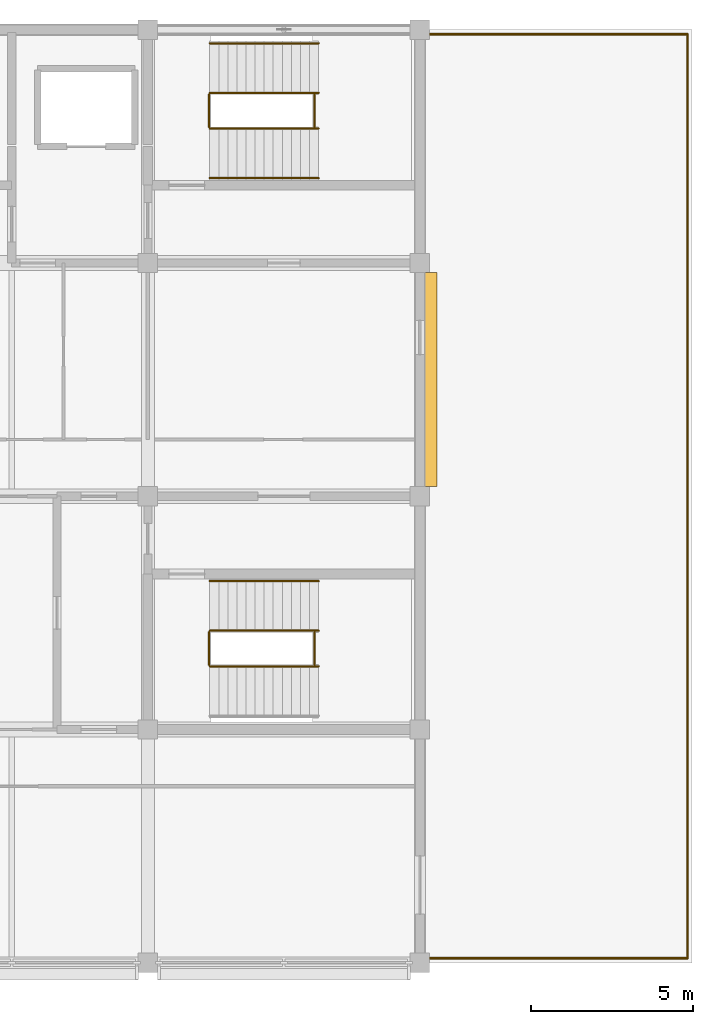
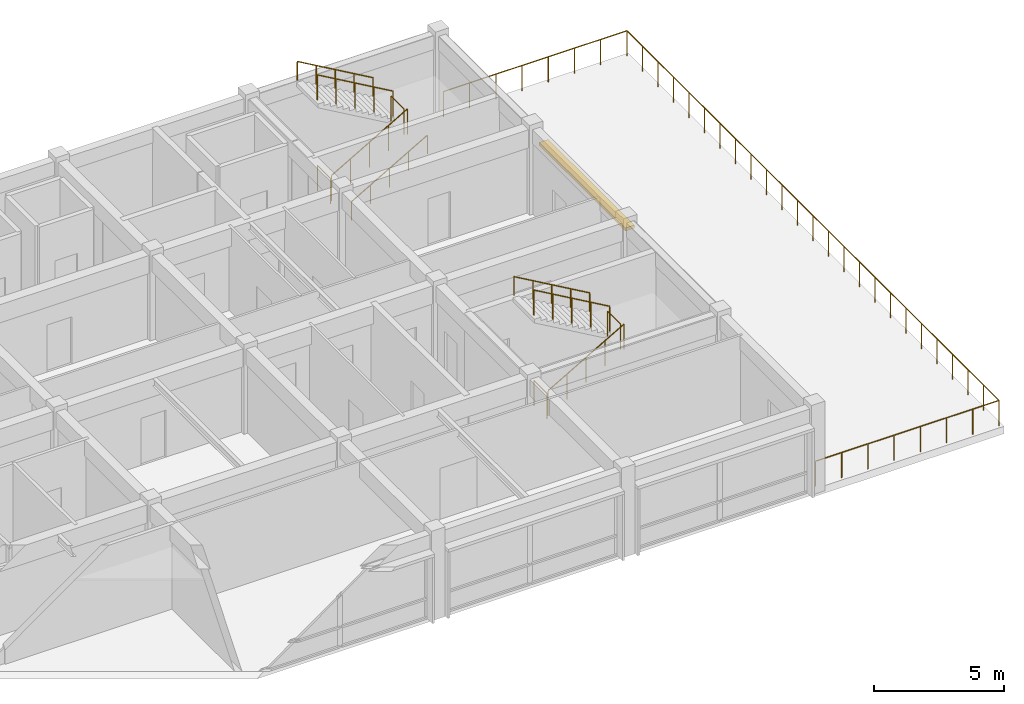
# One storey, part 13 of 13: 14 railings, 1 shading device.
"""IFC4 building model written with IfcOpenShell, lengths in metres."""

from ifc_helpers import new_model, si_unit, direction, frame, origin, origin_2d, place, context, subcontext, project, spatial, rectangle, circle, extrude, material, type_object, element, save


model = new_model("IFC4")

# Units and contexts
model_context = context("Model", 3, precision=1e-05, world=origin(), true_north=direction((0.0, 1.0)))
body_context = subcontext(model_context, "Body", "Model", "MODEL_VIEW")
ifc_project = project(units=[si_unit("LENGTHUNIT", "METRE"), si_unit("AREAUNIT", "SQUARE_METRE"), si_unit("VOLUMEUNIT", "CUBIC_METRE"), si_unit("PLANEANGLEUNIT", "RADIAN"), si_unit("MASSUNIT", "GRAM", prefix="KILO")], contexts=[model_context])

# Site, building, storey
site_placement = place(None, origin())
site = spatial("IfcSite", under=ifc_project, at=site_placement, CompositionType="ELEMENT")
building_placement = place(site_placement, origin())
building = spatial("IfcBuilding", under=site, at=building_placement, Name="Chengyuan Square Courthouse", CompositionType="ELEMENT")
storey_placement = place(building_placement, frame((0.0, 0.0, 60.300048828125)))
storey = spatial("IfcBuildingStorey", under=building, at=storey_placement, Name="L14", CompositionType="ELEMENT", Elevation=60.300048828125)

# Railings
ifc_material_1 = material(Name="Stainless Steel S30408 and Laminated Glass Balustrade", Category="steel")
railing_type_1 = type_object("IfcRailingType", Name="RL-01", PredefinedType="BALUSTRADE", material=ifc_material_1)
railing_1_placement = place(storey_placement, frame((109.340087890625, 107.860107421875, 0.0)))
element("IfcRailing", 1, at=railing_1_placement, inside=storey, type_object=railing_type_1, Name="Terrace Safety Balustrade RL-TER-022", PredefinedType="BALUSTRADE", context=body_context, shape_type="SweptSolid", body=[
    extrude(circle(Radius=0.02392578125, at=origin_2d()), frame((0.0, 0.0, 1.17578125), z_axis=(1.0, 0.0, 0.0), x_axis=(0.0, 1.0, 0.0)), (0.0, 0.0, 1.0), 8.119873046875),
    extrude(circle(Radius=0.02099609375, at=origin_2d()), origin(), (0.0, 0.0, 1.0), 1.15185546875),
    extrude(circle(Radius=0.02099609375, at=origin_2d()), frame((1.159912109375, 0.0, 0.0)), (0.0, 0.0, 1.0), 1.15185546875),
    extrude(circle(Radius=0.02099609375, at=origin_2d()), frame((2.320068359375, 0.0, 0.0)), (0.0, 0.0, 1.0), 1.15185546875),
    extrude(circle(Radius=0.02099609375, at=origin_2d()), frame((3.47998046875, 0.0, 0.0)), (0.0, 0.0, 1.0), 1.15185546875),
    extrude(circle(Radius=0.02099609375, at=origin_2d()), frame((4.639892578125, 0.0, 0.0)), (0.0, 0.0, 1.0), 1.15185546875),
    extrude(circle(Radius=0.02099609375, at=origin_2d()), frame((5.7998046875, 0.0, 0.0)), (0.0, 0.0, 1.0), 1.15185546875),
    extrude(circle(Radius=0.02099609375, at=origin_2d()), frame((6.9599609375, 0.0, 0.0)), (0.0, 0.0, 1.0), 1.15185546875),
    extrude(circle(Radius=0.02099609375, at=origin_2d()), frame((8.119873046875, 0.0, 0.0)), (0.0, 0.0, 1.0), 1.15185546875),
])
railing_2_placement = place(storey_placement, frame((117.4599609375, 107.860107421875, 0.0)))
element("IfcRailing", 2, at=railing_2_placement, inside=storey, type_object=railing_type_1, Name="Terrace Safety Balustrade RL-TER-023", PredefinedType="BALUSTRADE", context=body_context, shape_type="SweptSolid", body=[
    extrude(circle(Radius=0.02392578125, at=origin_2d()), frame((0.0, 0.0, 1.17578125), z_axis=(0.0, -1.0, 0.0), x_axis=(1.0, 0.0, 0.0)), (0.0, 0.0, 1.0), 28.52001953125),
    extrude(circle(Radius=0.02099609375, at=origin_2d()), origin(), (0.0, 0.0, 1.0), 1.15185546875),
    extrude(circle(Radius=0.02099609375, at=origin_2d()), frame((0.0, -1.188232421875, 0.0)), (0.0, 0.0, 1.0), 1.15185546875),
    extrude(circle(Radius=0.02099609375, at=origin_2d()), frame((0.0, -2.376708984375, 0.0)), (0.0, 0.0, 1.0), 1.15185546875),
    extrude(circle(Radius=0.02099609375, at=origin_2d()), frame((0.0, -3.56494140625, 0.0)), (0.0, 0.0, 1.0), 1.15185546875),
    extrude(circle(Radius=0.02099609375, at=origin_2d()), frame((0.0, -4.75341796875, 0.0)), (0.0, 0.0, 1.0), 1.15185546875),
    extrude(circle(Radius=0.02099609375, at=origin_2d()), frame((0.0, -5.941650390625, 0.0)), (0.0, 0.0, 1.0), 1.15185546875),
    extrude(circle(Radius=0.02099609375, at=origin_2d()), frame((0.0, -7.1298828125, 0.0)), (0.0, 0.0, 1.0), 1.15185546875),
    extrude(circle(Radius=0.02099609375, at=origin_2d()), frame((0.0, -8.318359375, 0.0)), (0.0, 0.0, 1.0), 1.15185546875),
    extrude(circle(Radius=0.02099609375, at=origin_2d()), frame((0.0, -9.506591796875, 0.0)), (0.0, 0.0, 1.0), 1.15185546875),
    extrude(circle(Radius=0.02099609375, at=origin_2d()), frame((0.0, -10.695068359375, 0.0)), (0.0, 0.0, 1.0), 1.15185546875),
    extrude(circle(Radius=0.02099609375, at=origin_2d()), frame((0.0, -11.88330078125, 0.0)), (0.0, 0.0, 1.0), 1.15185546875),
    extrude(circle(Radius=0.02099609375, at=origin_2d()), frame((0.0, -13.07177734375, 0.0)), (0.0, 0.0, 1.0), 1.15185546875),
    extrude(circle(Radius=0.02099609375, at=origin_2d()), frame((0.0, -14.260009765625, 0.0)), (0.0, 0.0, 1.0), 1.15185546875),
    extrude(circle(Radius=0.02099609375, at=origin_2d()), frame((0.0, -15.4482421875, 0.0)), (0.0, 0.0, 1.0), 1.15185546875),
    extrude(circle(Radius=0.02099609375, at=origin_2d()), frame((0.0, -16.63671875, 0.0)), (0.0, 0.0, 1.0), 1.15185546875),
    extrude(circle(Radius=0.02099609375, at=origin_2d()), frame((0.0, -17.824951171875, 0.0)), (0.0, 0.0, 1.0), 1.15185546875),
    extrude(circle(Radius=0.02099609375, at=origin_2d()), frame((0.0, -19.013427734375, 0.0)), (0.0, 0.0, 1.0), 1.15185546875),
    extrude(circle(Radius=0.02099609375, at=origin_2d()), frame((0.0, -20.20166015625, 0.0)), (0.0, 0.0, 1.0), 1.15185546875),
    extrude(circle(Radius=0.02099609375, at=origin_2d()), frame((0.0, -21.39013671875, 0.0)), (0.0, 0.0, 1.0), 1.15185546875),
    extrude(circle(Radius=0.02099609375, at=origin_2d()), frame((0.0, -22.578369140625, 0.0)), (0.0, 0.0, 1.0), 1.15185546875),
    extrude(circle(Radius=0.02099609375, at=origin_2d()), frame((0.0, -23.7666015625, 0.0)), (0.0, 0.0, 1.0), 1.15185546875),
    extrude(circle(Radius=0.02099609375, at=origin_2d()), frame((0.0, -24.955078125, 0.0)), (0.0, 0.0, 1.0), 1.15185546875),
    extrude(circle(Radius=0.02099609375, at=origin_2d()), frame((0.0, -26.143310546875, 0.0)), (0.0, 0.0, 1.0), 1.15185546875),
    extrude(circle(Radius=0.02099609375, at=origin_2d()), frame((0.0, -27.331787109375, 0.0)), (0.0, 0.0, 1.0), 1.15185546875),
    extrude(circle(Radius=0.02099609375, at=origin_2d()), frame((0.0, -28.52001953125, 0.0)), (0.0, 0.0, 1.0), 1.15185546875),
])
railing_3_placement = place(storey_placement, frame((117.4599609375, 79.340087890625, 0.0)))
element("IfcRailing", 3, at=railing_3_placement, inside=storey, type_object=railing_type_1, Name="Terrace Safety Balustrade RL-TER-024", PredefinedType="BALUSTRADE", context=body_context, shape_type="SweptSolid", body=[
    extrude(circle(Radius=0.02392578125, at=origin_2d()), frame((0.0, 0.0, 1.17578125), z_axis=(-1.0, 0.0, 0.0), x_axis=(0.0, -1.0, 0.0)), (0.0, 0.0, 1.0), 8.119873046875),
    extrude(circle(Radius=0.02099609375, at=origin_2d()), origin(), (0.0, 0.0, 1.0), 1.15185546875),
    extrude(circle(Radius=0.02099609375, at=origin_2d()), frame((-1.159912109375, 0.0, 0.0)), (0.0, 0.0, 1.0), 1.15185546875),
    extrude(circle(Radius=0.02099609375, at=origin_2d()), frame((-2.320068359375, 0.0, 0.0)), (0.0, 0.0, 1.0), 1.15185546875),
    extrude(circle(Radius=0.02099609375, at=origin_2d()), frame((-3.47998046875, 0.0, 0.0)), (0.0, 0.0, 1.0), 1.15185546875),
    extrude(circle(Radius=0.02099609375, at=origin_2d()), frame((-4.639892578125, 0.0, 0.0)), (0.0, 0.0, 1.0), 1.15185546875),
    extrude(circle(Radius=0.02099609375, at=origin_2d()), frame((-5.7998046875, 0.0, 0.0)), (0.0, 0.0, 1.0), 1.15185546875),
    extrude(circle(Radius=0.02099609375, at=origin_2d()), frame((-6.9599609375, 0.0, 0.0)), (0.0, 0.0, 1.0), 1.15185546875),
    extrude(circle(Radius=0.02099609375, at=origin_2d()), frame((-8.119873046875, 0.0, 0.0)), (0.0, 0.0, 1.0), 1.15185546875),
])
ifc_material_2 = material(Name="Tempered Glass and Timber Top-Rail Balustrade", Category="wood")
railing_type_2 = type_object("IfcRailingType", Name="RL-02", PredefinedType="BALUSTRADE", material=ifc_material_2)
for number, where, name in (
    (4, (102.68994140625, 105.0, 0.0), "Stair Floor Slot Guard ST-2 L14"),
    (5, (105.949951171875, 105.0, 2.099853515625), "Stair Landing Guard ST-2-L14"),
):
    element("IfcRailing", number, at=place(storey_placement, frame(where)), inside=storey, type_object=railing_type_2, Name=name, PredefinedType="BALUSTRADE", context=body_context, shape_type="SweptSolid", body=[
        extrude(circle(Radius=0.02392578125, at=origin_2d()), frame((0.0, 0.0, 1.17578125), z_axis=(0.0, 1.0, 0.0), x_axis=(-1.0, 0.0, 0.0)), (0.0, 0.0, 1.0), 1.0),
        extrude(circle(Radius=0.02099609375, at=origin_2d()), origin(), (0.0, 0.0, 1.0), 1.15185546875),
        extrude(circle(Radius=0.02099609375, at=origin_2d()), frame((0.0, 1.0, 0.0)), (0.0, 0.0, 1.0), 1.15185546875),
    ])
railing_4_placement = place(storey_placement, frame((102.7099609375, 104.949951171875, 0.161376953125)))
element("IfcRailing", 6, at=railing_4_placement, inside=storey, type_object=railing_type_2, Name="Stair Flight 1 Guard ST-2-L14", PredefinedType="BALUSTRADE", context=body_context, shape_type="SweptSolid", body=[
    extrude(circle(Radius=0.02392578125, at=origin_2d()), frame((0.0, 0.0, 1.17578125), z_axis=(0.866190824863, 0.0, 0.499713372768), x_axis=(0.0, 1.0, 0.0)), (0.0, 0.0, 1.0), 3.879150390625),
    extrude(circle(Radius=0.02099609375, at=origin_2d()), origin(), (0.0, 0.0, 1.0), 1.15185546875),
    extrude(circle(Radius=0.02099609375, at=origin_2d()), frame((0.840087890625, 0.0, 0.484619140625)), (0.0, 0.0, 1.0), 1.15185546875),
    extrude(circle(Radius=0.02099609375, at=origin_2d()), frame((1.68017578125, 0.0, 0.96923828125)), (0.0, 0.0, 1.0), 1.15185546875),
    extrude(circle(Radius=0.02099609375, at=origin_2d()), frame((2.52001953125, 0.0, 1.453857421875)), (0.0, 0.0, 1.0), 1.15185546875),
    extrude(circle(Radius=0.02099609375, at=origin_2d()), frame((3.360107421875, 0.0, 1.9384765625)), (0.0, 0.0, 1.0), 1.15185546875),
])
railing_5_placement = place(storey_placement, frame((106.070068359375, 106.050048828125, 2.261474609375)))
element("IfcRailing", 7, at=railing_5_placement, inside=storey, type_object=railing_type_2, Name="Stair Flight 2 Guard ST-2-L14", PredefinedType="BALUSTRADE", context=body_context, shape_type="SweptSolid", body=[
    extrude(circle(Radius=0.02392578125, at=origin_2d()), frame((0.0, 0.0, 1.17578125), z_axis=(-0.866190824863, 0.0, 0.499713372768), x_axis=(0.0, -1.0, 0.0)), (0.0, 0.0, 1.0), 3.879150390625),
    extrude(circle(Radius=0.02099609375, at=origin_2d()), origin(), (0.0, 0.0, 1.0), 1.15185546875),
    extrude(circle(Radius=0.02099609375, at=origin_2d()), frame((-0.840087890625, 0.0, 0.484619140625)), (0.0, 0.0, 1.0), 1.15185546875),
    extrude(circle(Radius=0.02099609375, at=origin_2d()), frame((-1.68017578125, 0.0, 0.96923828125)), (0.0, 0.0, 1.0), 1.15185546875),
    extrude(circle(Radius=0.02099609375, at=origin_2d()), frame((-2.52001953125, 0.0, 1.453857421875)), (0.0, 0.0, 1.0), 1.15185546875),
    extrude(circle(Radius=0.02099609375, at=origin_2d()), frame((-3.360107421875, 0.0, 1.9384765625)), (0.0, 0.0, 1.0), 1.15185546875),
])
for number, where, name in (
    (8, (102.68994140625, 88.39990234375, 0.0), "Stair Floor Slot Guard ST-4 L14"),
    (9, (105.949951171875, 88.39990234375, 2.099853515625), "Stair Landing Guard ST-4-L14"),
):
    element("IfcRailing", number, at=place(storey_placement, frame(where)), inside=storey, type_object=railing_type_2, Name=name, PredefinedType="BALUSTRADE", context=body_context, shape_type="SweptSolid", body=[
        extrude(circle(Radius=0.02392578125, at=origin_2d()), frame((0.0, 0.0, 1.17578125), z_axis=(0.0, 1.0, 0.0), x_axis=(-1.0, 0.0, 0.0)), (0.0, 0.0, 1.0), 1.0),
        extrude(circle(Radius=0.02099609375, at=origin_2d()), origin(), (0.0, 0.0, 1.0), 1.15185546875),
        extrude(circle(Radius=0.02099609375, at=origin_2d()), frame((0.0, 1.0, 0.0)), (0.0, 0.0, 1.0), 1.15185546875),
    ])
railing_6_placement = place(storey_placement, frame((102.7099609375, 88.35009765625, 0.161376953125)))
element("IfcRailing", 10, at=railing_6_placement, inside=storey, type_object=railing_type_2, Name="Stair Flight 1 Guard ST-4-L14", PredefinedType="BALUSTRADE", context=body_context, shape_type="SweptSolid", body=[
    extrude(circle(Radius=0.02392578125, at=origin_2d()), frame((0.0, 0.0, 1.17578125), z_axis=(0.866190824863, 0.0, 0.499713372768), x_axis=(0.0, 1.0, 0.0)), (0.0, 0.0, 1.0), 3.879150390625),
    extrude(circle(Radius=0.02099609375, at=origin_2d()), origin(), (0.0, 0.0, 1.0), 1.15185546875),
    extrude(circle(Radius=0.02099609375, at=origin_2d()), frame((0.840087890625, 0.0, 0.484619140625)), (0.0, 0.0, 1.0), 1.15185546875),
    extrude(circle(Radius=0.02099609375, at=origin_2d()), frame((1.68017578125, 0.0, 0.96923828125)), (0.0, 0.0, 1.0), 1.15185546875),
    extrude(circle(Radius=0.02099609375, at=origin_2d()), frame((2.52001953125, 0.0, 1.453857421875)), (0.0, 0.0, 1.0), 1.15185546875),
    extrude(circle(Radius=0.02099609375, at=origin_2d()), frame((3.360107421875, 0.0, 1.9384765625)), (0.0, 0.0, 1.0), 1.15185546875),
])
railing_7_placement = place(storey_placement, frame((106.070068359375, 89.449951171875, 2.261474609375)))
element("IfcRailing", 11, at=railing_7_placement, inside=storey, type_object=railing_type_2, Name="Stair Flight 2 Guard ST-4-L14", PredefinedType="BALUSTRADE", context=body_context, shape_type="SweptSolid", body=[
    extrude(circle(Radius=0.02392578125, at=origin_2d()), frame((0.0, 0.0, 1.17578125), z_axis=(-0.866190824863, 0.0, 0.499713372768), x_axis=(0.0, -1.0, 0.0)), (0.0, 0.0, 1.0), 3.879150390625),
    extrude(circle(Radius=0.02099609375, at=origin_2d()), origin(), (0.0, 0.0, 1.0), 1.15185546875),
    extrude(circle(Radius=0.02099609375, at=origin_2d()), frame((-0.840087890625, 0.0, 0.484619140625)), (0.0, 0.0, 1.0), 1.15185546875),
    extrude(circle(Radius=0.02099609375, at=origin_2d()), frame((-1.68017578125, 0.0, 0.96923828125)), (0.0, 0.0, 1.0), 1.15185546875),
    extrude(circle(Radius=0.02099609375, at=origin_2d()), frame((-2.52001953125, 0.0, 1.453857421875)), (0.0, 0.0, 1.0), 1.15185546875),
    extrude(circle(Radius=0.02099609375, at=origin_2d()), frame((-3.360107421875, 0.0, 1.9384765625)), (0.0, 0.0, 1.0), 1.15185546875),
])
ifc_material_3 = material(Name="Stainless Steel S30408 Stair Handrail", Category="steel")
railing_type_3 = type_object("IfcRailingType", Name="RL-04", PredefinedType="HANDRAIL", material=ifc_material_3)
railing_8_placement = place(storey_placement, frame((102.7099609375, 103.419921875, 0.161376953125)))
element("IfcRailing", 12, at=railing_8_placement, inside=storey, type_object=railing_type_3, Name="Stair Flight 1 Handrail ST-2-L14", PredefinedType="HANDRAIL", context=body_context, shape_type="SweptSolid", body=[
    extrude(circle(Radius=0.02392578125, at=origin_2d()), frame((0.0, 0.0, 0.8759765625), z_axis=(0.866190824863, 0.0, 0.499713372768), x_axis=(0.0, 1.0, 0.0)), (0.0, 0.0, 1.0), 3.879150390625),
    extrude(circle(Radius=0.02099609375, at=origin_2d()), origin(), (0.0, 0.0, 1.0), 0.851806640625),
    extrude(circle(Radius=0.02099609375, at=origin_2d()), frame((0.840087890625, 0.0, 0.484619140625)), (0.0, 0.0, 1.0), 0.851806640625),
    extrude(circle(Radius=0.02099609375, at=origin_2d()), frame((1.68017578125, 0.0, 0.96923828125)), (0.0, 0.0, 1.0), 0.851806640625),
    extrude(circle(Radius=0.02099609375, at=origin_2d()), frame((2.52001953125, 0.0, 1.453857421875)), (0.0, 0.0, 1.0), 0.851806640625),
    extrude(circle(Radius=0.02099609375, at=origin_2d()), frame((3.360107421875, 0.0, 1.9384765625)), (0.0, 0.0, 1.0), 0.851806640625),
])
for number, where, name in (
    (13, (106.070068359375, 107.580078125, 2.261474609375), "Stair Flight 2 Handrail ST-2-L14"),
    (14, (106.070068359375, 90.97998046875, 2.261474609375), "Stair Flight 2 Handrail ST-4-L14"),
):
    element("IfcRailing", number, at=place(storey_placement, frame(where)), inside=storey, type_object=railing_type_3, Name=name, PredefinedType="HANDRAIL", context=body_context, shape_type="SweptSolid", body=[
        extrude(circle(Radius=0.02392578125, at=origin_2d()), frame((0.0, 0.0, 0.8759765625), z_axis=(-0.866190824863, 0.0, 0.499713372768), x_axis=(0.0, -1.0, 0.0)), (0.0, 0.0, 1.0), 3.879150390625),
        extrude(circle(Radius=0.02099609375, at=origin_2d()), origin(), (0.0, 0.0, 1.0), 0.851806640625),
        extrude(circle(Radius=0.02099609375, at=origin_2d()), frame((-0.840087890625, 0.0, 0.484619140625)), (0.0, 0.0, 1.0), 0.851806640625),
        extrude(circle(Radius=0.02099609375, at=origin_2d()), frame((-1.68017578125, 0.0, 0.96923828125)), (0.0, 0.0, 1.0), 0.851806640625),
        extrude(circle(Radius=0.02099609375, at=origin_2d()), frame((-2.52001953125, 0.0, 1.453857421875)), (0.0, 0.0, 1.0), 0.851806640625),
        extrude(circle(Radius=0.02099609375, at=origin_2d()), frame((-3.360107421875, 0.0, 1.9384765625)), (0.0, 0.0, 1.0), 0.851806640625),
    ])

# Shading device
ifc_material_4 = material(Name="Glulam TCt28 Facade Sunshade", Category="wood")
shading_device_type = type_object("IfcShadingDeviceType", Name="SHD-03", PredefinedType="AWNING", material=ifc_material_4)
shading_device_placement = place(storey_placement, frame((109.531982421875, 97.199951171875, 3.1201171875), z_axis=(0.0, 0.0, 1.0), x_axis=(0.0, 1.0, 0.0)))
element("IfcShadingDevice", 15, at=shading_device_placement, inside=storey, type_object=shading_device_type, Name="Glulam Facade Sunshade SHD-L14-0932", PredefinedType="AWNING", context=body_context, shape_type="SweptSolid", body=[
    extrude(rectangle(XDim=6.610107421875, YDim=0.39990234375, at=origin_2d()), origin(), (0.0, 0.0, 1.0), 0.139892578125),
])

save(model, "model.ifc")
